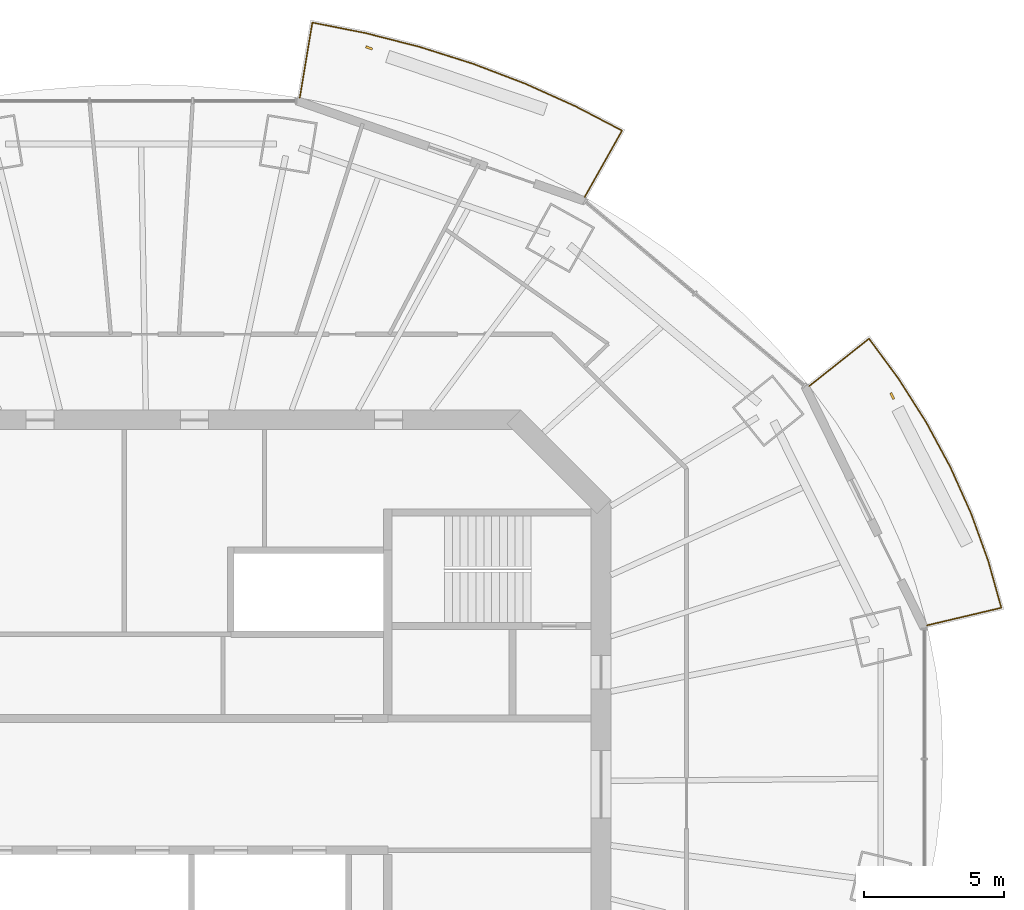
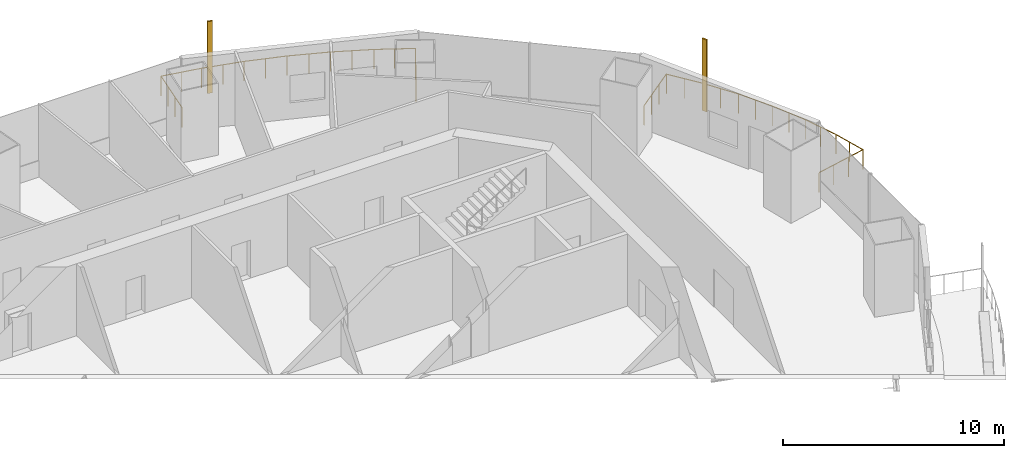
# One storey, part 15 of 16: 2 railings, 2 shading devices.
"""IFC4 building model written with IfcOpenShell, lengths in metres."""

from ifc_helpers import new_model, si_unit, direction, frame, origin, origin_2d, place, context, subcontext, project, spatial, rectangle, circle, extrude, material, material_profile, profile_set, type_object, element, save


model = new_model("IFC4")

# Units and contexts
model_context = context("Model", 3, precision=1e-05, world=origin(), true_north=direction((0.0, 1.0)))
body_context = subcontext(model_context, "Body", "Model", "MODEL_VIEW")
ifc_project = project(units=[si_unit("LENGTHUNIT", "METRE"), si_unit("AREAUNIT", "SQUARE_METRE"), si_unit("VOLUMEUNIT", "CUBIC_METRE"), si_unit("PLANEANGLEUNIT", "RADIAN"), si_unit("MASSUNIT", "GRAM", prefix="KILO")], contexts=[model_context])

# Site, building, storey
site_placement = place(None, origin())
site = spatial("IfcSite", under=ifc_project, at=site_placement, CompositionType="ELEMENT")
building_placement = place(site_placement, origin())
building = spatial("IfcBuilding", under=site, at=building_placement, Name="Marenthal Gate Tower", CompositionType="ELEMENT")
storey_placement = place(building_placement, frame((0.0, 0.0, 301.10009765625)))
storey = spatial("IfcBuildingStorey", under=building, at=storey_placement, Name="L67", CompositionType="ELEMENT", Elevation=301.10009765625)

# Railings
ifc_material_1 = material(Name="Stainless steel", Category="steel")
railing_type = type_object("IfcRailingType", Name="Balcony guard 1100", PredefinedType="GUARDRAIL", material=ifc_material_1)
railing_1_placement = place(storey_placement, frame((23.426513671875, 14.203369140625, 0.0)))
element("IfcRailing", 1, at=railing_1_placement, inside=storey, type_object=railing_type, Name="Balcony guard L67 bay 1", PredefinedType="GUARDRAIL", context=body_context, shape_type="SweptSolid", body=[
    extrude(circle(Radius=0.02392578125, at=origin_2d()), frame((0.0, 0.0, 1.076171875), z_axis=(0.783334446315, 0.62142618083, -0.014718933226), x_axis=(-0.621493506827, 0.783419313632, 0.0)), (0.0, 0.0, 1.0), 2.72021484375),
    extrude(circle(Radius=0.02392578125, at=origin_2d()), frame((2.130859375, 1.6904296875, 1.0361328125), z_axis=(0.59310034369, -0.80512855018, 0.0), x_axis=(0.80512855018, 0.59310034369, 0.0)), (0.0, 0.0, 1.0), 1.77197265625),
    extrude(circle(Radius=0.02392578125, at=origin_2d()), frame((3.181884765625, 0.263671875, 1.0361328125), z_axis=(0.536179368299, -0.844104072381, 0.0), x_axis=(0.844104072381, 0.536179368299, 0.0)), (0.0, 0.0, 1.0), 1.838623046875),
    extrude(circle(Radius=0.02392578125, at=origin_2d()), frame((4.167724609375, -1.288330078125, 1.0361328125), z_axis=(0.474067933151, -0.880488270653, 0.0), x_axis=(0.880488270653, 0.474067933151, 0.0)), (0.0, 0.0, 1.0), 1.826171875),
    extrude(circle(Radius=0.02392578125, at=origin_2d()), frame((5.033447265625, -2.896240234375, 1.0361328125), z_axis=(0.408333619035, -0.912832764292, 0.0), x_axis=(0.912832764292, 0.408333619035, 0.0)), (0.0, 0.0, 1.0), 1.815185546875),
    extrude(circle(Radius=0.02392578125, at=origin_2d()), frame((5.774658203125, -4.55322265625, 1.0361328125), z_axis=(0.33909288178, -0.940752899292, 0.0), x_axis=(0.940752899292, 0.33909288178, 0.0)), (0.0, 0.0, 1.0), 1.8056640625),
    extrude(circle(Radius=0.02392578125, at=origin_2d()), frame((6.386962890625, -6.251953125, 1.0361328125), z_axis=(0.268728447288, -0.963215978698, 0.0), x_axis=(0.963215978698, 0.268728447288, 0.0)), (0.0, 0.0, 1.0), 1.718017578125),
    extrude(circle(Radius=0.02392578125, at=origin_2d()), frame((6.8486328125, -7.90673828125, 1.0361328125), z_axis=(-0.973112411133, -0.229859886083, 0.014719649089), x_axis=(0.229884791779, -0.973217849461, 0.0)), (0.0, 0.0, 1.0), 2.72021484375),
    extrude(circle(Radius=0.02099609375, at=origin_2d()), origin(), (0.0, 0.0, 1.0), 1.052001953125),
    extrude(circle(Radius=0.02099609375, at=origin_2d()), frame((0.710205078125, 0.5634765625, -0.013427734375)), (0.0, 0.0, 1.0), 1.052001953125),
    extrude(circle(Radius=0.02099609375, at=origin_2d()), frame((1.420654296875, 1.126953125, -0.026611328125)), (0.0, 0.0, 1.0), 1.052001953125),
    extrude(circle(Radius=0.02099609375, at=origin_2d()), frame((2.130859375, 1.6904296875, -0.0400390625)), (0.0, 0.0, 1.0), 1.052001953125),
    extrude(circle(Radius=0.02099609375, at=origin_2d()), frame((2.65625, 0.97705078125, -0.0400390625)), (0.0, 0.0, 1.0), 1.052001953125),
    extrude(circle(Radius=0.02099609375, at=origin_2d()), frame((3.181884765625, 0.263671875, -0.0400390625)), (0.0, 0.0, 1.0), 1.052001953125),
    extrude(circle(Radius=0.02099609375, at=origin_2d()), frame((3.6748046875, -0.51220703125, -0.0400390625)), (0.0, 0.0, 1.0), 1.052001953125),
    extrude(circle(Radius=0.02099609375, at=origin_2d()), frame((4.167724609375, -1.288330078125, -0.0400390625)), (0.0, 0.0, 1.0), 1.052001953125),
    extrude(circle(Radius=0.02099609375, at=origin_2d()), frame((4.6005859375, -2.09228515625, -0.0400390625)), (0.0, 0.0, 1.0), 1.052001953125),
    extrude(circle(Radius=0.02099609375, at=origin_2d()), frame((5.033447265625, -2.896240234375, -0.0400390625)), (0.0, 0.0, 1.0), 1.052001953125),
    extrude(circle(Radius=0.02099609375, at=origin_2d()), frame((5.404052734375, -3.724609375, -0.0400390625)), (0.0, 0.0, 1.0), 1.052001953125),
    extrude(circle(Radius=0.02099609375, at=origin_2d()), frame((5.774658203125, -4.55322265625, -0.0400390625)), (0.0, 0.0, 1.0), 1.052001953125),
    extrude(circle(Radius=0.02099609375, at=origin_2d()), frame((6.080810546875, -5.402587890625, -0.0400390625)), (0.0, 0.0, 1.0), 1.052001953125),
    extrude(circle(Radius=0.02099609375, at=origin_2d()), frame((6.386962890625, -6.251953125, -0.0400390625)), (0.0, 0.0, 1.0), 1.052001953125),
    extrude(circle(Radius=0.02099609375, at=origin_2d()), frame((6.61767578125, -7.079345703125, -0.0400390625)), (0.0, 0.0, 1.0), 1.052001953125),
    extrude(circle(Radius=0.02099609375, at=origin_2d()), frame((6.8486328125, -7.90673828125, -0.0400390625)), (0.0, 0.0, 1.0), 1.052001953125),
    extrude(circle(Radius=0.02099609375, at=origin_2d()), frame((5.96630859375, -8.115234375, -0.026611328125)), (0.0, 0.0, 1.0), 1.052001953125),
    extrude(circle(Radius=0.02099609375, at=origin_2d()), frame((5.083984375, -8.323486328125, -0.013427734375)), (0.0, 0.0, 1.0), 1.052001953125),
    extrude(circle(Radius=0.02099609375, at=origin_2d()), frame((4.20166015625, -8.531982421875, 0.0)), (0.0, 0.0, 1.0), 1.052001953125),
])
railing_2_placement = place(storey_placement, frame((5.2578125, 24.482421875, 0.0)))
element("IfcRailing", 2, at=railing_2_placement, inside=storey, type_object=railing_type, Name="Balcony guard L67 bay 3", PredefinedType="GUARDRAIL", context=body_context, shape_type="SweptSolid", body=[
    extrude(circle(Radius=0.02392578125, at=origin_2d()), frame((0.0, 0.0, 1.076171875), z_axis=(0.16513793129, 0.986160646201, -0.014718815615), x_axis=(-0.986267486225, 0.165155822229, 0.0)), (0.0, 0.0, 1.0), 2.72021484375),
    extrude(circle(Radius=0.02392578125, at=origin_2d()), frame((0.44921875, 2.6826171875, 1.0361328125), z_axis=(0.98107877251, -0.193608992898, 0.0), x_axis=(0.193608992898, 0.98107877251, 0.0)), (0.0, 0.0, 1.0), 1.929443359375),
    extrude(circle(Radius=0.02392578125, at=origin_2d()), frame((2.342041015625, 2.30908203125, 1.0361328125), z_axis=(0.968932635782, -0.24732478104, 0.0), x_axis=(0.24732478104, 0.968932635782, 0.0)), (0.0, 0.0, 1.0), 2.001953125),
    extrude(circle(Radius=0.02392578125, at=origin_2d()), frame((4.28173828125, 1.81396484375, 1.0361328125), z_axis=(0.953365734412, -0.301817455508, 0.0), x_axis=(0.301817455508, 0.953365734412, 0.0)), (0.0, 0.0, 1.0), 1.992431640625),
    extrude(circle(Radius=0.02392578125, at=origin_2d()), frame((6.18115234375, 1.212646484375, 1.0361328125), z_axis=(0.934386218754, -0.356261693426, 0.0), x_axis=(0.356261693426, 0.934386218754, 0.0)), (0.0, 0.0, 1.0), 1.98193359375),
    extrude(circle(Radius=0.02392578125, at=origin_2d()), frame((8.032958984375, 0.506591796875, 1.0361328125), z_axis=(0.911993375146, -0.410204928894, 0.0), x_axis=(0.410204928894, 0.911993375146, 0.0)), (0.0, 0.0, 1.0), 1.969970703125),
    extrude(circle(Radius=0.02392578125, at=origin_2d()), frame((9.82958984375, -0.301513671875, 1.0361328125), z_axis=(0.886672985155, -0.462397034372, 0.0), x_axis=(0.462397034372, 0.886672985155, 0.0)), (0.0, 0.0, 1.0), 1.87646484375),
    extrude(circle(Radius=0.02392578125, at=origin_2d()), frame((11.493408203125, -1.169189453125, 1.0361328125), z_axis=(-0.490284829029, -0.87143798094, 0.01471841698), x_axis=(0.871532386867, -0.490337943301, 0.0)), (0.0, 0.0, 1.0), 2.720458984375),
    extrude(circle(Radius=0.02099609375, at=origin_2d()), origin(), (0.0, 0.0, 1.0), 1.052001953125),
    extrude(circle(Radius=0.02099609375, at=origin_2d()), frame((0.149658203125, 0.894287109375, -0.013427734375)), (0.0, 0.0, 1.0), 1.052001953125),
    extrude(circle(Radius=0.02099609375, at=origin_2d()), frame((0.299560546875, 1.788330078125, -0.026611328125)), (0.0, 0.0, 1.0), 1.052001953125),
    extrude(circle(Radius=0.02099609375, at=origin_2d()), frame((0.44921875, 2.6826171875, -0.0400390625)), (0.0, 0.0, 1.0), 1.052001953125),
    extrude(circle(Radius=0.02099609375, at=origin_2d()), frame((1.3955078125, 2.495849609375, -0.0400390625)), (0.0, 0.0, 1.0), 1.052001953125),
    extrude(circle(Radius=0.02099609375, at=origin_2d()), frame((2.342041015625, 2.30908203125, -0.0400390625)), (0.0, 0.0, 1.0), 1.052001953125),
    extrude(circle(Radius=0.02099609375, at=origin_2d()), frame((3.31201171875, 2.0615234375, -0.0400390625)), (0.0, 0.0, 1.0), 1.052001953125),
    extrude(circle(Radius=0.02099609375, at=origin_2d()), frame((4.28173828125, 1.81396484375, -0.0400390625)), (0.0, 0.0, 1.0), 1.052001953125),
    extrude(circle(Radius=0.02099609375, at=origin_2d()), frame((5.2314453125, 1.51318359375, -0.0400390625)), (0.0, 0.0, 1.0), 1.052001953125),
    extrude(circle(Radius=0.02099609375, at=origin_2d()), frame((6.18115234375, 1.212646484375, -0.0400390625)), (0.0, 0.0, 1.0), 1.052001953125),
    extrude(circle(Radius=0.02099609375, at=origin_2d()), frame((7.10693359375, 0.859619140625, -0.0400390625)), (0.0, 0.0, 1.0), 1.052001953125),
    extrude(circle(Radius=0.02099609375, at=origin_2d()), frame((8.032958984375, 0.506591796875, -0.0400390625)), (0.0, 0.0, 1.0), 1.052001953125),
    extrude(circle(Radius=0.02099609375, at=origin_2d()), frame((8.93115234375, 0.1025390625, -0.0400390625)), (0.0, 0.0, 1.0), 1.052001953125),
    extrude(circle(Radius=0.02099609375, at=origin_2d()), frame((9.82958984375, -0.301513671875, -0.0400390625)), (0.0, 0.0, 1.0), 1.052001953125),
    extrude(circle(Radius=0.02099609375, at=origin_2d()), frame((10.66162109375, -0.7353515625, -0.0400390625)), (0.0, 0.0, 1.0), 1.052001953125),
    extrude(circle(Radius=0.02099609375, at=origin_2d()), frame((11.493408203125, -1.169189453125, -0.0400390625)), (0.0, 0.0, 1.0), 1.052001953125),
    extrude(circle(Radius=0.02099609375, at=origin_2d()), frame((11.048828125, -1.95947265625, -0.026611328125)), (0.0, 0.0, 1.0), 1.052001953125),
    extrude(circle(Radius=0.02099609375, at=origin_2d()), frame((10.604248046875, -2.74951171875, -0.013427734375)), (0.0, 0.0, 1.0), 1.052001953125),
    extrude(circle(Radius=0.02099609375, at=origin_2d()), frame((10.15966796875, -3.539794921875, 0.0)), (0.0, 0.0, 1.0), 1.052001953125),
])

# Shading devices
ifc_material_2 = material(Name="Terracotta", Category="masonry")
ifc_material_profile = material_profile(ifc_material_2, rectangle(XDim=0.25, YDim=0.080078125, at=origin_2d()), Name="Terracotta baguette 250x80")
ifc_profile_set = profile_set([ifc_material_profile], Name="Terracotta")
shading_device_type = type_object("IfcShadingDeviceType", Name="Terracotta BAGUETTE SCREEN 250x80", PredefinedType="USERDEFINED", material=ifc_profile_set)
for number, where, z_axis, x_axis, name in (
    (3, (26.38525390625, 13.8505859375, -0.0400390625), (0.0, 0.0, 1.0), (-0.441623511691, 0.897200464735, 0.0), "Terracotta BAGUETTE L67 bay 1R"),
    (4, (7.729736328125, 26.2626953125, -0.0400390625), (0.0, 0.0, 1.0), (-0.944279584145, 0.329144446962, 0.0), "Terracotta BAGUETTE L67 bay 3R"),
):
    element("IfcShadingDevice", number, at=place(storey_placement, frame(where, z_axis=z_axis, x_axis=x_axis)), inside=storey, type_object=shading_device_type, Name=name, ObjectType="BAGUETTE SCREEN", PredefinedType="USERDEFINED", context=body_context, shape_type="SweptSolid", body=[
        extrude(rectangle(XDim=0.25, YDim=0.080078125, at=origin_2d()), origin(), (0.0, 0.0, 1.0), 3.969970703125),
    ])

save(model, "model.ifc")
